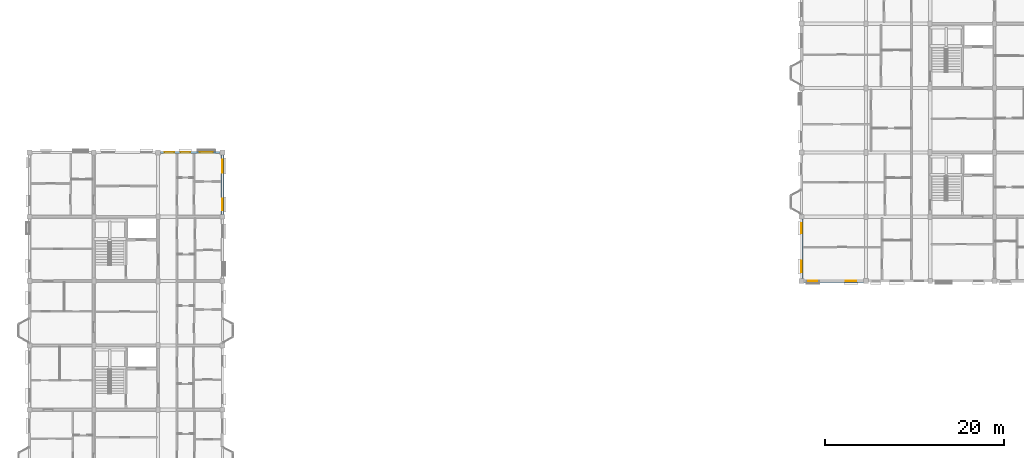
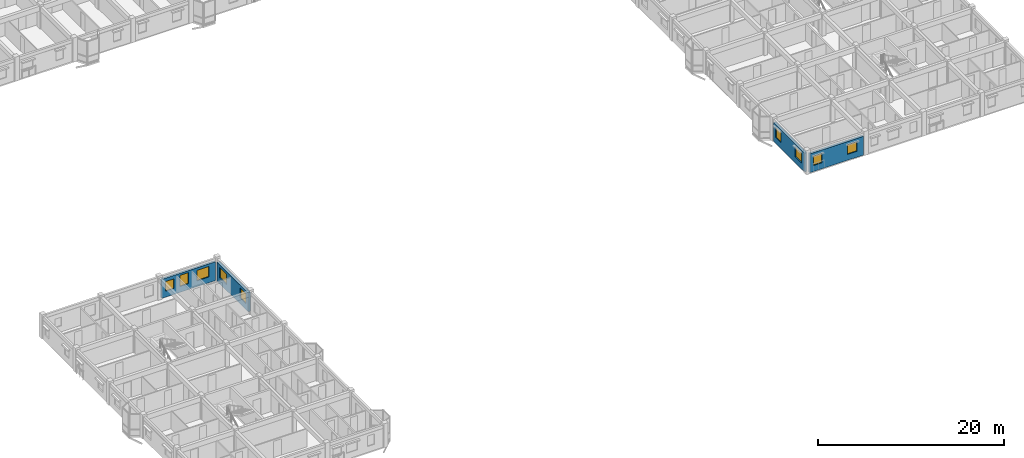
# One storey, part 59 of 79: 9 windows, 4 walls, 9 openings.
"""IFC4 building model written with IfcOpenShell, lengths in metres."""

from ifc_helpers import new_model, si_unit, direction, frame, frame_2d, origin, place, context, subcontext, project, spatial, rectangle, extrude, material, layer, layer_set, type_object, element, fill, save


model = new_model("IFC4")

# Units and contexts
model_context = context("Model", 3, precision=1e-05, world=origin(), true_north=direction((0.0, 1.0)))
body_context = subcontext(model_context, "Body", "Model", "MODEL_VIEW")
ifc_project = project(units=[si_unit("LENGTHUNIT", "METRE"), si_unit("AREAUNIT", "SQUARE_METRE"), si_unit("VOLUMEUNIT", "CUBIC_METRE"), si_unit("PLANEANGLEUNIT", "RADIAN"), si_unit("MASSUNIT", "GRAM", prefix="KILO"), si_unit("THERMODYNAMICTEMPERATUREUNIT", "KELVIN"), si_unit("POWERUNIT", "WATT")], contexts=[model_context])

# Site, building, storey
site_placement = place(None, origin())
site = spatial("IfcSite", under=ifc_project, at=site_placement, CompositionType="ELEMENT")
building_placement = place(site_placement, origin())
building = spatial("IfcBuilding", under=site, at=building_placement, Name="Tavuni Mirador Residences", CompositionType="ELEMENT")
storey_placement = place(building_placement, frame((0.0, 0.0, 13.949951171875)))
storey = spatial("IfcBuildingStorey", under=building, at=storey_placement, Name="L04", CompositionType="ELEMENT", Elevation=13.949951171875)

# Wall, openings, windows
ifc_material_1 = material(Name="Sgraffito lime-rendered precast concrete C40/50", Category="concrete")
ifc_layer_1 = layer(ifc_material_1, 0.2451171875, Name="Sgraffito lime-rendered precast concrete C40/50", Category="concrete")
ifc_layer_set_1 = layer_set([ifc_layer_1], Name="Sgraffito lime-rendered precast concrete C40/50")
wall_type_1 = type_object("IfcWallType", Name="WT-EXT-PC245", PredefinedType="SOLIDWALL", material=ifc_layer_set_1)
wall_1_placement = place(storey_placement, frame((24.925048828125, 100.800048828125, 0.0), z_axis=(0.0, 0.0, 1.0), x_axis=(-1.0, 0.0, 0.0)))
wall_1 = element("IfcWall", 1, at=wall_1_placement, inside=storey, type_object=wall_type_1, Name="EW-BLK-B-L04-N02", PredefinedType="SOLIDWALL", context=body_context, shape_type="SweptSolid", body=[
    extrude(rectangle(XDim=6.650146484375, YDim=0.2451171875, at=frame_2d((3.3251953125, 0.0))), origin(), (0.0, 0.0, 1.0), 2.47998046875),
])
opening_1_placement = place(wall_1_placement, frame((0.802490234375, 0.0, 0.780029296875)))
opening_1 = element("IfcOpeningElement", 2, at=opening_1_placement, cuts=wall_1, Name="Opening WN-24", PredefinedType="OPENING", context=body_context, shape_type="SweptSolid", body=[
    extrude(rectangle(XDim=1.4599609375, YDim=1.360107421875, at=frame_2d((0.72998046875, 0.68017578125))), frame((0.0, 0.132568359375, 0.0), z_axis=(0.0, -1.0, 0.0), x_axis=(1.0, 0.0, 0.0)), (0.0, 0.0, 1.0), 0.26513671875),
])
opening_2_placement = place(wall_1_placement, frame((3.35009765625, 0.0, 0.780029296875)))
opening_2 = element("IfcOpeningElement", 3, at=opening_2_placement, cuts=wall_1, Name="Opening WN-26", PredefinedType="OPENING", context=body_context, shape_type="SweptSolid", body=[
    extrude(rectangle(XDim=1.050048828125, YDim=1.43994140625, at=frame_2d((0.52490234375, 0.719970703125))), frame((0.0, 0.132568359375, 0.0), z_axis=(0.0, -1.0, 0.0), x_axis=(1.0, 0.0, 0.0)), (0.0, 0.0, 1.0), 0.26513671875),
])
opening_3_placement = place(wall_1_placement, frame((5.1474609375, 0.0, 0.780029296875)))
opening_3 = element("IfcOpeningElement", 4, at=opening_3_placement, cuts=wall_1, Name="Opening WN-11", PredefinedType="OPENING", context=body_context, shape_type="SweptSolid", body=[
    extrude(rectangle(XDim=1.0400390625, YDim=1.260009765625, at=frame_2d((0.52001953125, 0.6298828125))), frame((0.0, 0.132568359375, 0.0), z_axis=(0.0, -1.0, 0.0), x_axis=(1.0, 0.0, 0.0)), (0.0, 0.0, 1.0), 0.26513671875),
])
ifc_material_2 = material(Name="Laminated solar-control glass", Category="glass")
window_type_1 = type_object("IfcWindowType", Name="WNT-11", PartitioningType="SINGLE_PANEL", PredefinedType="WINDOW", material=ifc_material_2)
window_1_placement = place(opening_3_placement, origin())
window_1 = element("IfcWindow", 5, at=window_1_placement, inside=storey, type_object=window_type_1, Name="WIN-0681", OverallHeight=1.260009765625, OverallWidth=1.0400390625, PartitioningType="SINGLE_PANEL", PredefinedType="WINDOW", context=body_context, shape_type="SweptSolid", body=[
    extrude(rectangle(XDim=1.0400390625, YDim=1.260009765625, at=frame_2d((0.52001953125, 0.6298828125))), frame((0.0, 0.030029296875, 0.0), z_axis=(0.0, -1.0, 0.0), x_axis=(1.0, 0.0, 0.0)), (0.0, 0.0, 1.0), 0.06005859375),
])
fill(opening_3, window_1)
window_type_2 = type_object("IfcWindowType", Name="WNT-24", PartitioningType="SINGLE_PANEL", PredefinedType="WINDOW", material=ifc_material_2)
window_2_placement = place(opening_1_placement, origin())
window_2 = element("IfcWindow", 6, at=window_2_placement, inside=storey, type_object=window_type_2, Name="WIN-0679", OverallHeight=1.360107421875, OverallWidth=1.4599609375, PartitioningType="SINGLE_PANEL", PredefinedType="WINDOW", context=body_context, shape_type="SweptSolid", body=[
    extrude(rectangle(XDim=1.4599609375, YDim=1.360107421875, at=frame_2d((0.72998046875, 0.68017578125))), frame((0.0, 0.030029296875, 0.0), z_axis=(0.0, -1.0, 0.0), x_axis=(1.0, 0.0, 0.0)), (0.0, 0.0, 1.0), 0.06005859375),
])
fill(opening_1, window_2)
window_type_3 = type_object("IfcWindowType", Name="WNT-26", PartitioningType="SINGLE_PANEL", PredefinedType="WINDOW", material=ifc_material_2)
window_3_placement = place(opening_2_placement, origin())
window_3 = element("IfcWindow", 7, at=window_3_placement, inside=storey, type_object=window_type_3, Name="WIN-0680", OverallHeight=1.43994140625, OverallWidth=1.050048828125, PartitioningType="SINGLE_PANEL", PredefinedType="WINDOW", context=body_context, shape_type="SweptSolid", body=[
    extrude(rectangle(XDim=1.050048828125, YDim=1.43994140625, at=frame_2d((0.52490234375, 0.719970703125))), frame((0.0, 0.030029296875, 0.0), z_axis=(0.0, -1.0, 0.0), x_axis=(1.0, 0.0, 0.0)), (0.0, 0.0, 1.0), 0.06005859375),
])
fill(opening_2, window_3)

ifc_layer_2 = layer(ifc_material_1, 0.27490234375, Name="Sgraffito lime-rendered precast concrete C40/50", Category="concrete")
ifc_layer_set_2 = layer_set([ifc_layer_2], Name="Sgraffito lime-rendered precast concrete C40/50")
wall_type_2 = type_object("IfcWallType", Name="WT-EXT-PC275", PredefinedType="SOLIDWALL", material=ifc_layer_set_2)
wall_2_placement = place(storey_placement, frame((90.27490234375, 86.39990234375, 0.0), z_axis=(0.0, 0.0, 1.0), x_axis=(1.0, 0.0, 0.0)))
wall_2 = element("IfcWall", 8, at=wall_2_placement, inside=storey, type_object=wall_type_2, Name="EW-BLK-D-L04-S00", PredefinedType="SOLIDWALL", context=body_context, shape_type="SweptSolid", body=[
    extrude(rectangle(XDim=6.650146484375, YDim=0.27490234375, at=frame_2d((3.3251953125, 0.0))), origin(), (0.0, 0.0, 1.0), 2.4599609375),
])
opening_4_placement = place(wall_2_placement, frame((0.449951171875, 0.0, 0.780029296875)))
opening_4 = element("IfcOpeningElement", 9, at=opening_4_placement, cuts=wall_2, Name="Opening WN-11", PredefinedType="OPENING", context=body_context, shape_type="SweptSolid", body=[
    extrude(rectangle(XDim=1.0400390625, YDim=1.260009765625, at=frame_2d((0.52001953125, 0.6298828125))), frame((0.0, 0.1474609375, 0.0), z_axis=(0.0, -1.0, 0.0), x_axis=(1.0, 0.0, 0.0)), (0.0, 0.0, 1.0), 0.294921875),
])
opening_5_placement = place(wall_2_placement, frame((4.64990234375, 0.0, 0.780029296875)))
opening_5 = element("IfcOpeningElement", 10, at=opening_5_placement, cuts=wall_2, Name="Opening WN-13", PredefinedType="OPENING", context=body_context, shape_type="SweptSolid", body=[
    extrude(rectangle(XDim=1.199951171875, YDim=1.260009765625, at=frame_2d((0.60009765625, 0.6298828125))), frame((0.0, 0.1474609375, 0.0), z_axis=(0.0, -1.0, 0.0), x_axis=(1.0, 0.0, 0.0)), (0.0, 0.0, 1.0), 0.294921875),
])
window_4_placement = place(opening_4_placement, origin())
window_4 = element("IfcWindow", 11, at=window_4_placement, inside=storey, type_object=window_type_1, Name="WIN-1566", OverallHeight=1.260009765625, OverallWidth=1.0400390625, PartitioningType="SINGLE_PANEL", PredefinedType="WINDOW", context=body_context, shape_type="SweptSolid", body=[
    extrude(rectangle(XDim=1.0400390625, YDim=1.260009765625, at=frame_2d((0.52001953125, 0.6298828125))), frame((0.0, 0.030029296875, 0.0), z_axis=(0.0, -1.0, 0.0), x_axis=(1.0, 0.0, 0.0)), (0.0, 0.0, 1.0), 0.06005859375),
])
fill(opening_4, window_4)
window_type_4 = type_object("IfcWindowType", Name="WNT-13", PartitioningType="SINGLE_PANEL", PredefinedType="WINDOW", material=ifc_material_2)
window_5_placement = place(opening_5_placement, origin())
window_5 = element("IfcWindow", 12, at=window_5_placement, inside=storey, type_object=window_type_4, Name="WIN-1567", OverallHeight=1.260009765625, OverallWidth=1.199951171875, PartitioningType="SINGLE_PANEL", PredefinedType="WINDOW", context=body_context, shape_type="SweptSolid", body=[
    extrude(rectangle(XDim=1.199951171875, YDim=1.260009765625, at=frame_2d((0.60009765625, 0.6298828125))), frame((0.0, 0.030029296875, 0.0), z_axis=(0.0, -1.0, 0.0), x_axis=(1.0, 0.0, 0.0)), (0.0, 0.0, 1.0), 0.06005859375),
])
fill(opening_5, window_5)

wall_3_placement = place(storey_placement, frame((90.0, 93.324951171875, 0.0), z_axis=(0.0, 0.0, 1.0), x_axis=(0.0, -1.0, 0.0)))
wall_3 = element("IfcWall", 13, at=wall_3_placement, inside=storey, type_object=wall_type_2, Name="EW-BLK-D-L04-W00", PredefinedType="SOLIDWALL", context=body_context, shape_type="SweptSolid", body=[
    extrude(rectangle(XDim=6.64990234375, YDim=0.27490234375, at=frame_2d((3.324951171875, 0.0))), origin(), (0.0, 0.0, 1.0), 2.4599609375),
])
opening_6_placement = place(wall_3_placement, frame((0.449951171875, 0.0, 0.780029296875)))
opening_6 = element("IfcOpeningElement", 14, at=opening_6_placement, cuts=wall_3, Name="Opening WN-20", PredefinedType="OPENING", context=body_context, shape_type="SweptSolid", body=[
    extrude(rectangle(XDim=1.139892578125, YDim=1.360107421875, at=frame_2d((0.56982421875, 0.68017578125))), frame((0.0, 0.1474609375, 0.0), z_axis=(0.0, -1.0, 0.0), x_axis=(1.0, 0.0, 0.0)), (0.0, 0.0, 1.0), 0.294921875),
])
opening_7_placement = place(wall_3_placement, frame((4.64990234375, 0.0, 0.780029296875)))
opening_7 = element("IfcOpeningElement", 15, at=opening_7_placement, cuts=wall_3, Name="Opening WN-22", PredefinedType="OPENING", context=body_context, shape_type="SweptSolid", body=[
    extrude(rectangle(XDim=1.300048828125, YDim=1.360107421875, at=frame_2d((0.64990234375, 0.68017578125))), frame((0.0, 0.1474609375, 0.0), z_axis=(0.0, -1.0, 0.0), x_axis=(1.0, 0.0, 0.0)), (0.0, 0.0, 1.0), 0.294921875),
])
window_type_5 = type_object("IfcWindowType", Name="WNT-20", PartitioningType="SINGLE_PANEL", PredefinedType="WINDOW", material=ifc_material_2)
window_6_placement = place(opening_6_placement, origin())
window_6 = element("IfcWindow", 16, at=window_6_placement, inside=storey, type_object=window_type_5, Name="WIN-1605", OverallHeight=1.360107421875, OverallWidth=1.139892578125, PartitioningType="SINGLE_PANEL", PredefinedType="WINDOW", context=body_context, shape_type="SweptSolid", body=[
    extrude(rectangle(XDim=1.139892578125, YDim=1.360107421875, at=frame_2d((0.56982421875, 0.68017578125))), frame((0.0, 0.030029296875, 0.0), z_axis=(0.0, -1.0, 0.0), x_axis=(1.0, 0.0, 0.0)), (0.0, 0.0, 1.0), 0.06005859375),
])
fill(opening_6, window_6)
window_type_6 = type_object("IfcWindowType", Name="WNT-22", PartitioningType="SINGLE_PANEL", PredefinedType="WINDOW", material=ifc_material_2)
window_7_placement = place(opening_7_placement, origin())
window_7 = element("IfcWindow", 17, at=window_7_placement, inside=storey, type_object=window_type_6, Name="WIN-1606", OverallHeight=1.360107421875, OverallWidth=1.300048828125, PartitioningType="SINGLE_PANEL", PredefinedType="WINDOW", context=body_context, shape_type="SweptSolid", body=[
    extrude(rectangle(XDim=1.300048828125, YDim=1.360107421875, at=frame_2d((0.64990234375, 0.68017578125))), frame((0.0, 0.030029296875, 0.0), z_axis=(0.0, -1.0, 0.0), x_axis=(1.0, 0.0, 0.0)), (0.0, 0.0, 1.0), 0.06005859375),
])
fill(opening_7, window_7)

ifc_layer_3 = layer(ifc_material_1, 0.31494140625, Name="Sgraffito lime-rendered precast concrete C40/50", Category="concrete")
ifc_layer_set_3 = layer_set([ifc_layer_3], Name="Sgraffito lime-rendered precast concrete C40/50")
wall_type_3 = type_object("IfcWallType", Name="WT-EXT-PC315", PredefinedType="SOLIDWALL", material=ifc_layer_set_3)
wall_4_placement = place(storey_placement, frame((25.199951171875, 93.875, 0.0), z_axis=(0.0, 0.0, 1.0), x_axis=(0.0, 1.0, 0.0)))
wall_4 = element("IfcWall", 18, at=wall_4_placement, inside=storey, type_object=wall_type_3, Name="EW-BLK-B-L04-E04", PredefinedType="SOLIDWALL", context=body_context, shape_type="SweptSolid", body=[
    extrude(rectangle(XDim=6.64990234375, YDim=0.31494140625, at=frame_2d((3.324951171875, 0.0))), origin(), (0.0, 0.0, 1.0), 2.47998046875),
])
opening_8_placement = place(wall_4_placement, frame((0.449951171875, 0.0, 0.780029296875)))
opening_8 = element("IfcOpeningElement", 19, at=opening_8_placement, cuts=wall_4, Name="Opening WN-22", PredefinedType="OPENING", context=body_context, shape_type="SweptSolid", body=[
    extrude(rectangle(XDim=1.300048828125, YDim=1.360107421875, at=frame_2d((0.64990234375, 0.68017578125))), frame((0.0, 0.16748046875, 0.0), z_axis=(0.0, -1.0, 0.0), x_axis=(1.0, 0.0, 0.0)), (0.0, 0.0, 1.0), 0.3349609375),
])
opening_9_placement = place(wall_4_placement, frame((4.64990234375, 0.0, 0.780029296875)))
opening_9 = element("IfcOpeningElement", 20, at=opening_9_placement, cuts=wall_4, Name="Opening WN-24", PredefinedType="OPENING", context=body_context, shape_type="SweptSolid", body=[
    extrude(rectangle(XDim=1.4599609375, YDim=1.360107421875, at=frame_2d((0.72998046875, 0.68017578125))), frame((0.0, 0.16748046875, 0.0), z_axis=(0.0, -1.0, 0.0), x_axis=(1.0, 0.0, 0.0)), (0.0, 0.0, 1.0), 0.3349609375),
])
window_8_placement = place(opening_8_placement, origin())
window_8 = element("IfcWindow", 21, at=window_8_placement, inside=storey, type_object=window_type_6, Name="WIN-0677", OverallHeight=1.360107421875, OverallWidth=1.300048828125, PartitioningType="SINGLE_PANEL", PredefinedType="WINDOW", context=body_context, shape_type="SweptSolid", body=[
    extrude(rectangle(XDim=1.300048828125, YDim=1.360107421875, at=frame_2d((0.64990234375, 0.68017578125))), frame((0.0, 0.030029296875, 0.0), z_axis=(0.0, -1.0, 0.0), x_axis=(1.0, 0.0, 0.0)), (0.0, 0.0, 1.0), 0.06005859375),
])
fill(opening_8, window_8)
window_9_placement = place(opening_9_placement, origin())
window_9 = element("IfcWindow", 22, at=window_9_placement, inside=storey, type_object=window_type_2, Name="WIN-0678", OverallHeight=1.360107421875, OverallWidth=1.4599609375, PartitioningType="SINGLE_PANEL", PredefinedType="WINDOW", context=body_context, shape_type="SweptSolid", body=[
    extrude(rectangle(XDim=1.4599609375, YDim=1.360107421875, at=frame_2d((0.72998046875, 0.68017578125))), frame((0.0, 0.030029296875, 0.0), z_axis=(0.0, -1.0, 0.0), x_axis=(1.0, 0.0, 0.0)), (0.0, 0.0, 1.0), 0.06005859375),
])
fill(opening_9, window_9)

save(model, "model.ifc")
